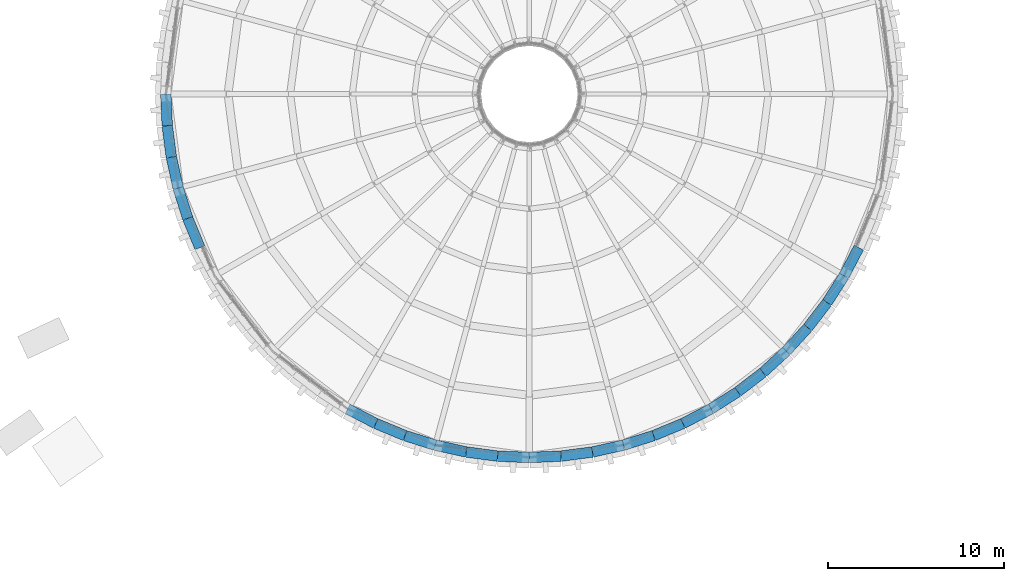
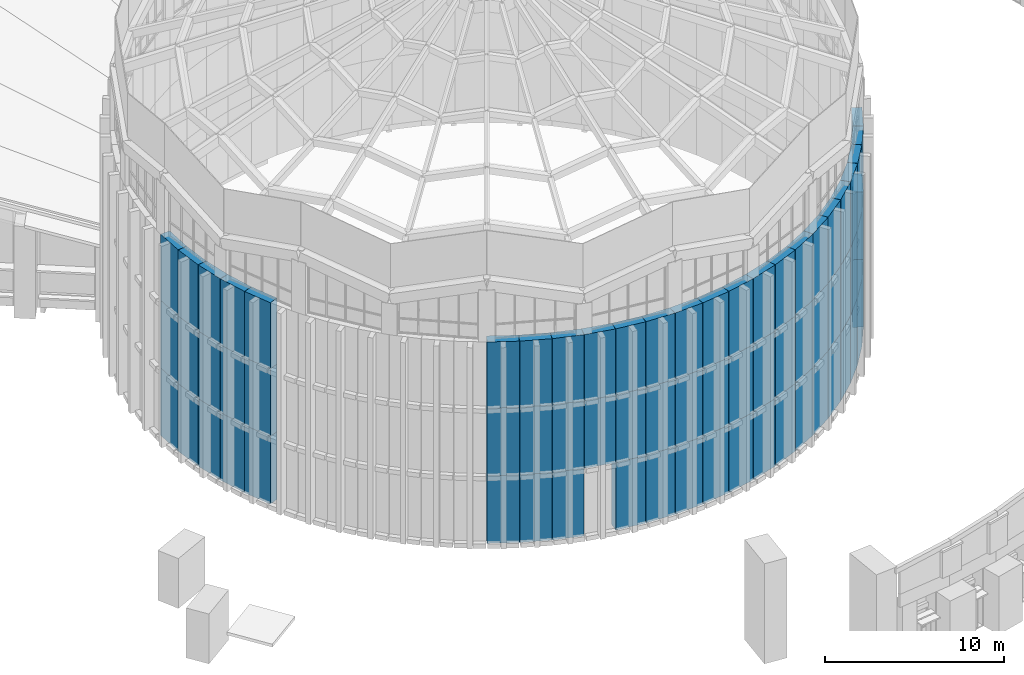
# One storey, part 52 of 82: 71 walls.
"""IFC4 building model written with IfcOpenShell, lengths in metres."""

import ifcopenshell
import ifcopenshell.guid

model = None  # the IFC model being written
_history = None  # IfcOwnerHistory: only IFC2X3 demands one
_inside = {}  # id of a spatial element -> (the spatial element, [elements in it])
_under = {}  # id of a project, library or spatial element -> (it, [spatial elements below it])
_declared = {}  # id of a project -> (the project, [libraries it declares])
_typed = {}  # id of a type object -> (the type object, [elements of that type])
_made_of = {}  # id of a material, layer set ... -> (it, [elements and type objects made of it])


def new_model(schema):
    """Start an empty IFC model of exactly this schema.

    Asked for "IFC4X3", IfcOpenShell would pick the latest addendum, in which some entities
    have other attributes; the version numbers below select the first issue.
    IFC2X3 requires an IfcOwnerHistory on every rooted entity: one is made here for all.
    """
    global model, _history
    if schema == "IFC4X3":
        model = ifcopenshell.file(schema_version=(4, 3, 0, 0))
    else:
        model = ifcopenshell.file(schema=schema)
    _inside.clear()
    _under.clear()
    _declared.clear()
    _typed.clear()
    _made_of.clear()
    _history = None
    if model.schema == "IFC2X3":
        org = make("IfcOrganization", Name="unknown")
        user = make(
            "IfcPersonAndOrganization",
            ThePerson=make("IfcPerson", FamilyName="unknown"),
            TheOrganization=org,
        )
        app = make(
            "IfcApplication",
            ApplicationDeveloper=org,
            Version="unknown",
            ApplicationFullName="unknown",
            ApplicationIdentifier="unknown",
        )
        _history = make(
            "IfcOwnerHistory",
            OwningUser=user,
            OwningApplication=app,
            ChangeAction="ADDED",
            CreationDate=0,
        )
    return model


def make(cls, **values):
    """One entity of the class cls with the attributes given. An attribute that is None is left unset."""
    return model.create_entity(
        cls, **{name: value for name, value in values.items() if value is not None}
    )


def rooted(cls, **values):
    """An entity with a GlobalId (a new one), such as an element, a storey or a relation."""
    return make(cls, GlobalId=ifcopenshell.guid.new(), OwnerHistory=_history, **values)


def si_unit(unit_type, name, prefix=None):
    """IfcSIUnit, for example si_unit("LENGTHUNIT", "METRE", prefix="MILLI")."""
    return make("IfcSIUnit", UnitType=unit_type, Prefix=prefix, Name=name)


def assignment(units):
    """IfcUnitAssignment: the units of a project."""
    return None if units is None else make("IfcUnitAssignment", Units=units)


def point(xyz):
    """IfcCartesianPoint."""
    return None if xyz is None else make("IfcCartesianPoint", Coordinates=xyz)


def direction(xyz):
    """IfcDirection."""
    return None if xyz is None else make("IfcDirection", DirectionRatios=xyz)


def frame(location, z_axis=None, x_axis=None):
    """IfcAxis2Placement3D, a coordinate frame: its origin and axes. An axis left out is left unset."""
    return make(
        "IfcAxis2Placement3D",
        Location=point(location),
        Axis=direction(z_axis),
        RefDirection=direction(x_axis),
    )


def frame_2d(location, x_axis=None):
    """IfcAxis2Placement2D, a coordinate frame in the plane: its origin and x axis."""
    return make(
        "IfcAxis2Placement2D", Location=point(location), RefDirection=direction(x_axis)
    )


def origin():
    """The frame at (0, 0, 0) with its axes left unset."""
    return frame((0.0, 0.0, 0.0))


def place(relative_to, where):
    """IfcLocalPlacement: puts the frame where relative to a parent placement (None: the world)."""
    return make(
        "IfcLocalPlacement", PlacementRelTo=relative_to, RelativePlacement=where
    )


def context(
    kind, dimensions, precision=None, world=None, true_north=None, identifier=None
):
    """IfcGeometricRepresentationContext, for example the 3D "Model" context."""
    return make(
        "IfcGeometricRepresentationContext",
        ContextIdentifier=identifier,
        ContextType=kind,
        CoordinateSpaceDimension=dimensions,
        Precision=precision,
        WorldCoordinateSystem=world,
        TrueNorth=true_north,
    )


def subcontext(parent, identifier, kind, view, scale=None):
    """IfcGeometricRepresentationSubContext, for example "Body" below "Model"."""
    return make(
        "IfcGeometricRepresentationSubContext",
        ContextIdentifier=identifier,
        ContextType=kind,
        ParentContext=parent,
        TargetScale=scale,
        TargetView=view,
    )


def project(units=None, contexts=None):
    """IfcProject with its units and contexts."""
    return rooted(
        "IfcProject",
        Name="project",
        RepresentationContexts=contexts,
        UnitsInContext=assignment(units),
    )


def spatial(cls, under=None, at=None, **own):
    """A site, building, storey or space (cls), placed at a placement, below another one or the project."""
    s = rooted(cls, ObjectPlacement=at, **own)
    if under is not None:
        _under.setdefault(under.id(), (under, []))[1].append(s)
    return s


def profile(cls, at=None, kind="AREA", **sizes):
    """A parametric profile (cls). Its sizes go by their IFC names, for example OverallWidth=200.0."""
    return make(cls, ProfileType=kind, Position=at, **sizes)


def rectangle(**sizes):
    """IfcRectangleProfileDef."""
    return profile("IfcRectangleProfileDef", **sizes)


def extrude(swept, where, along, depth):
    """IfcExtrudedAreaSolid: the profile swept, set in the frame where, extruded along a direction by depth."""
    return make(
        "IfcExtrudedAreaSolid",
        SweptArea=swept,
        Position=where,
        ExtrudedDirection=direction(along),
        Depth=depth,
    )


def shape(context_of_items, identifier, shape_type, items):
    """IfcShapeRepresentation: the items that make up one representation, for example the "Body"."""
    return make(
        "IfcShapeRepresentation",
        ContextOfItems=context_of_items,
        RepresentationIdentifier=identifier,
        RepresentationType=shape_type,
        Items=items,
    )


def material(Name=None, Category=None):
    """IfcMaterial."""
    return make("IfcMaterial", Name=Name, Category=Category)


def layer(
    of_material, thickness, ventilated=None, Name=None, Category=None, Priority=None
):
    """IfcMaterialLayer: one layer of a wall or slab, of a material (None: an air gap)."""
    return make(
        "IfcMaterialLayer",
        Material=of_material,
        LayerThickness=thickness,
        IsVentilated=ventilated,
        Name=Name,
        Category=Category,
        Priority=Priority,
    )


def layer_set(layers, Name=None):
    """IfcMaterialLayerSet."""
    return make("IfcMaterialLayerSet", MaterialLayers=layers, LayerSetName=Name)


def made_of(thing, what):
    """Note that an element or type object is made of a material, layer set ...; save() writes the relation."""
    if what is not None:
        _made_of.setdefault(what.id(), (what, []))[1].append(thing)
    return thing


def type_object(cls, material=None, **own):
    """A type object (cls), such as IfcWallType, which elements share."""
    return made_of(rooted(cls, **own), material)


def element(
    cls,
    number,
    at=None,
    inside=None,
    cuts=None,
    type_object=None,
    material=None,
    context=None,
    identifier="Body",
    shape_type=None,
    held_by="IfcProductDefinitionShape",
    body=None,
    shapes=None,
    **own,
):
    """One element of the class cls, such as IfcWall. Its Tag is "e" and its number.

    at: its placement. inside: the storey or other place that contains it. cuts: it is an
    opening in that element (IfcRelVoidsElement). A single representation is given by context,
    identifier, shape_type and body (its items); several are given by shapes. held_by: the class
    of the entity that holds the representations. save() writes the other relations.
    """
    e = rooted(cls, Tag="e%d" % number, ObjectPlacement=at, **own)
    if body is not None:
        shapes = [shape(context, identifier, shape_type, body)]
    if shapes is not None:
        e.Representation = make(held_by, Representations=shapes)
    if inside is not None:
        _inside.setdefault(inside.id(), (inside, []))[1].append(e)
    if cuts is not None:
        rooted(
            "IfcRelVoidsElement", RelatingBuildingElement=cuts, RelatedOpeningElement=e
        )
    if type_object is not None:
        _typed.setdefault(type_object.id(), (type_object, []))[1].append(e)
    return made_of(e, material)


def aggregate(whole, parts):
    """IfcRelAggregates: a whole, such as a stair, and the parts it consists of."""
    return rooted("IfcRelAggregates", RelatingObject=whole, RelatedObjects=parts)


def save(model, path):
    """Write the relations noted so far, then the file.

    IfcRelAggregates (storeys below a building ...), IfcRelContainedInSpatialStructure (elements
    in a storey), IfcRelDefinesByType, IfcRelAssociatesMaterial and IfcRelDeclares: one each for
    every whole, place, type object, material and project.
    """
    for whole, parts in _under.values():
        aggregate(whole, parts)
    for where, things in _inside.values():
        rooted(
            "IfcRelContainedInSpatialStructure",
            RelatedElements=things,
            RelatingStructure=where,
        )
    for kind, things in _typed.values():
        rooted("IfcRelDefinesByType", RelatedObjects=things, RelatingType=kind)
    for what, things in _made_of.values():
        rooted("IfcRelAssociatesMaterial", RelatedObjects=things, RelatingMaterial=what)
    for by, libraries in _declared.values():
        rooted("IfcRelDeclares", RelatingContext=by, RelatedDefinitions=libraries)
    model.write(path)


model = new_model("IFC4")

# Units and contexts
model_context = context("Model", 3, precision=1e-05, world=origin(), true_north=direction((0.0, 1.0)))
body_context = subcontext(model_context, "Body", "Model", "MODEL_VIEW")
ifc_project = project(units=[si_unit("LENGTHUNIT", "METRE"), si_unit("AREAUNIT", "SQUARE_METRE"), si_unit("VOLUMEUNIT", "CUBIC_METRE"), si_unit("PLANEANGLEUNIT", "RADIAN"), si_unit("MASSUNIT", "GRAM", prefix="KILO")], contexts=[model_context])

# Site, building, storey
site_placement = place(None, origin())
site = spatial("IfcSite", under=ifc_project, at=site_placement, CompositionType="ELEMENT")
building_placement = place(site_placement, origin())
building = spatial("IfcBuilding", under=site, at=building_placement, Name="Volute Hill Aquarium", CompositionType="ELEMENT")
storey_placement = place(building_placement, frame((0.0, 0.0, 13.800048828125)))
storey = spatial("IfcBuildingStorey", under=building, at=storey_placement, Name="L04", CompositionType="ELEMENT", Elevation=13.800048828125)

# Walls
ifc_material = material(Name="Concrete C35/45", Category="concrete")
ifc_layer = layer(ifc_material, 0.60009765625)
ifc_layer_set = layer_set([ifc_layer], Name="Drum wall C35/45 600")
wall_type = type_object("IfcWallType", Name="Drum wall C35/45 600", PredefinedType="SHEAR", material=ifc_layer_set)
wall_1_placement = place(storey_placement, frame((-20.699951171875, 0.0, 0.0), z_axis=(0.0, 0.0, 1.0), x_axis=(0.043666024022, -0.999046184291, 0.0)))
element("IfcWall", 1, at=wall_1_placement, inside=storey, type_object=wall_type, Name="sw/DR/L04/36", PredefinedType="SHEAR", context=body_context, shape_type="SweptSolid", body=[
    extrude(rectangle(XDim=1.805908203125, YDim=0.60009765625, at=frame_2d((0.90283203125, 0.0))), origin(), (0.0, 0.0, 1.0), 4.599853515625),
])
wall_2_placement = place(storey_placement, frame((-20.699951171875, 0.0, 4.599853515625), z_axis=(0.0, 0.0, 1.0), x_axis=(0.043666024022, -0.999046184291, 0.0)))
element("IfcWall", 2, at=wall_2_placement, inside=storey, type_object=wall_type, Name="sw/DR/L04/108", PredefinedType="SHEAR", context=body_context, shape_type="SweptSolid", body=[
    extrude(rectangle(XDim=1.805908203125, YDim=0.60009765625, at=frame_2d((0.90283203125, 0.0))), origin(), (0.0, 0.0, 1.0), 4.60009765625),
])
wall_3_placement = place(storey_placement, frame((-20.699951171875, 0.0, 9.199951171875), z_axis=(0.0, 0.0, 1.0), x_axis=(0.043666024022, -0.999046184291, 0.0)))
element("IfcWall", 3, at=wall_3_placement, inside=storey, type_object=wall_type, Name="sw/DR/L04/180", PredefinedType="SHEAR", context=body_context, shape_type="SweptSolid", body=[
    extrude(rectangle(XDim=1.805908203125, YDim=0.60009765625, at=frame_2d((0.90283203125, 0.0))), origin(), (0.0, 0.0, 1.0), 4.5),
])
wall_4_placement = place(storey_placement, frame((-20.62109375, -1.80419921875, 0.0), z_axis=(0.0, 0.0, 1.0), x_axis=(0.130471999813, -0.991451994433, 0.0)))
element("IfcWall", 4, at=wall_4_placement, inside=storey, type_object=wall_type, Name="sw/DR/L04/37", PredefinedType="SHEAR", context=body_context, shape_type="SweptSolid", body=[
    extrude(rectangle(XDim=1.8056640625, YDim=0.60009765625, at=frame_2d((0.90283203125, 0.0))), origin(), (0.0, 0.0, 1.0), 4.599853515625),
])
wall_5_placement = place(storey_placement, frame((-20.62109375, -1.80419921875, 4.599853515625), z_axis=(0.0, 0.0, 1.0), x_axis=(0.130471999813, -0.991451994433, 0.0)))
element("IfcWall", 5, at=wall_5_placement, inside=storey, type_object=wall_type, Name="sw/DR/L04/109", PredefinedType="SHEAR", context=body_context, shape_type="SweptSolid", body=[
    extrude(rectangle(XDim=1.8056640625, YDim=0.60009765625, at=frame_2d((0.90283203125, 0.0))), origin(), (0.0, 0.0, 1.0), 4.60009765625),
])
wall_6_placement = place(storey_placement, frame((-20.62109375, -1.80419921875, 9.199951171875), z_axis=(0.0, 0.0, 1.0), x_axis=(0.130471999813, -0.991451994433, 0.0)))
element("IfcWall", 6, at=wall_6_placement, inside=storey, type_object=wall_type, Name="sw/DR/L04/181", PredefinedType="SHEAR", context=body_context, shape_type="SweptSolid", body=[
    extrude(rectangle(XDim=1.8056640625, YDim=0.60009765625, at=frame_2d((0.90283203125, 0.0))), origin(), (0.0, 0.0, 1.0), 4.5),
])
wall_7_placement = place(storey_placement, frame((-20.385498046875, -3.594482421875, 0.0), z_axis=(0.0, 0.0, 1.0), x_axis=(0.216429453554, -0.976298259567, 0.0)))
element("IfcWall", 7, at=wall_7_placement, inside=storey, type_object=wall_type, Name="sw/DR/L04/38", PredefinedType="SHEAR", context=body_context, shape_type="SweptSolid", body=[
    extrude(rectangle(XDim=1.805908203125, YDim=0.60009765625, at=frame_2d((0.90283203125, 0.0))), origin(), (0.0, 0.0, 1.0), 4.599853515625),
])
wall_8_placement = place(storey_placement, frame((-20.385498046875, -3.594482421875, 4.599853515625), z_axis=(0.0, 0.0, 1.0), x_axis=(0.216429453554, -0.976298259567, 0.0)))
element("IfcWall", 8, at=wall_8_placement, inside=storey, type_object=wall_type, Name="sw/DR/L04/110", PredefinedType="SHEAR", context=body_context, shape_type="SweptSolid", body=[
    extrude(rectangle(XDim=1.805908203125, YDim=0.60009765625, at=frame_2d((0.90283203125, 0.0))), origin(), (0.0, 0.0, 1.0), 4.60009765625),
])
wall_9_placement = place(storey_placement, frame((-20.385498046875, -3.594482421875, 9.199951171875), z_axis=(0.0, 0.0, 1.0), x_axis=(0.216429453554, -0.976298259567, 0.0)))
element("IfcWall", 9, at=wall_9_placement, inside=storey, type_object=wall_type, Name="sw/DR/L04/182", PredefinedType="SHEAR", context=body_context, shape_type="SweptSolid", body=[
    extrude(rectangle(XDim=1.805908203125, YDim=0.60009765625, at=frame_2d((0.90283203125, 0.0))), origin(), (0.0, 0.0, 1.0), 4.5),
])
wall_10_placement = place(storey_placement, frame((-19.99462890625, -5.357666015625, 0.0), z_axis=(0.0, 0.0, 1.0), x_axis=(0.300691330354, -0.953721512733, 0.0)))
element("IfcWall", 10, at=wall_10_placement, inside=storey, type_object=wall_type, Name="sw/DR/L04/39", PredefinedType="SHEAR", context=body_context, shape_type="SweptSolid", body=[
    extrude(rectangle(XDim=1.8056640625, YDim=0.60009765625, at=frame_2d((0.90283203125, 0.0))), origin(), (0.0, 0.0, 1.0), 4.599853515625),
])
wall_11_placement = place(storey_placement, frame((-19.99462890625, -5.357666015625, 4.599853515625), z_axis=(0.0, 0.0, 1.0), x_axis=(0.300691330354, -0.953721512733, 0.0)))
element("IfcWall", 11, at=wall_11_placement, inside=storey, type_object=wall_type, Name="sw/DR/L04/111", PredefinedType="SHEAR", context=body_context, shape_type="SweptSolid", body=[
    extrude(rectangle(XDim=1.8056640625, YDim=0.60009765625, at=frame_2d((0.90283203125, 0.0))), origin(), (0.0, 0.0, 1.0), 4.60009765625),
])
wall_12_placement = place(storey_placement, frame((-19.99462890625, -5.357666015625, 9.199951171875), z_axis=(0.0, 0.0, 1.0), x_axis=(0.300691330354, -0.953721512733, 0.0)))
element("IfcWall", 12, at=wall_12_placement, inside=storey, type_object=wall_type, Name="sw/DR/L04/183", PredefinedType="SHEAR", context=body_context, shape_type="SweptSolid", body=[
    extrude(rectangle(XDim=1.8056640625, YDim=0.60009765625, at=frame_2d((0.90283203125, 0.0))), origin(), (0.0, 0.0, 1.0), 4.5),
])
wall_13_placement = place(storey_placement, frame((-19.45166015625, -7.079833984375, 0.0), z_axis=(0.0, 0.0, 1.0), x_axis=(0.382713954298, -0.923866889322, 0.0)))
element("IfcWall", 13, at=wall_13_placement, inside=storey, type_object=wall_type, Name="sw/DR/L04/40", PredefinedType="SHEAR", context=body_context, shape_type="SweptSolid", body=[
    extrude(rectangle(XDim=1.805908203125, YDim=0.60009765625, at=frame_2d((0.90283203125, 0.0))), origin(), (0.0, 0.0, 1.0), 4.599853515625),
])
wall_14_placement = place(storey_placement, frame((-19.45166015625, -7.079833984375, 4.599853515625), z_axis=(0.0, 0.0, 1.0), x_axis=(0.382713954298, -0.923866889322, 0.0)))
element("IfcWall", 14, at=wall_14_placement, inside=storey, type_object=wall_type, Name="sw/DR/L04/112", PredefinedType="SHEAR", context=body_context, shape_type="SweptSolid", body=[
    extrude(rectangle(XDim=1.805908203125, YDim=0.60009765625, at=frame_2d((0.90283203125, 0.0))), origin(), (0.0, 0.0, 1.0), 4.60009765625),
])
wall_15_placement = place(storey_placement, frame((-19.45166015625, -7.079833984375, 9.199951171875), z_axis=(0.0, 0.0, 1.0), x_axis=(0.382713954298, -0.923866889322, 0.0)))
element("IfcWall", 15, at=wall_15_placement, inside=storey, type_object=wall_type, Name="sw/DR/L04/184", PredefinedType="SHEAR", context=body_context, shape_type="SweptSolid", body=[
    extrude(rectangle(XDim=1.805908203125, YDim=0.60009765625, at=frame_2d((0.90283203125, 0.0))), origin(), (0.0, 0.0, 1.0), 4.5),
])
wall_16_placement = place(storey_placement, frame((-10.35009765625, -17.9267578125, 0.0), z_axis=(0.0, 0.0, 1.0), x_axis=(0.887035219654, -0.461701764231, 0.0)))
element("IfcWall", 16, at=wall_16_placement, inside=storey, type_object=wall_type, Name="sw/DR/L04/48", PredefinedType="SHEAR", context=body_context, shape_type="SweptSolid", body=[
    extrude(rectangle(XDim=1.805908203125, YDim=0.60009765625, at=frame_2d((0.90283203125, 0.0))), origin(), (0.0, 0.0, 1.0), 4.599853515625),
])
wall_17_placement = place(storey_placement, frame((-10.35009765625, -17.9267578125, 4.599853515625), z_axis=(0.0, 0.0, 1.0), x_axis=(0.887035219654, -0.461701764231, 0.0)))
element("IfcWall", 17, at=wall_17_placement, inside=storey, type_object=wall_type, Name="sw/DR/L04/120", PredefinedType="SHEAR", context=body_context, shape_type="SweptSolid", body=[
    extrude(rectangle(XDim=1.805908203125, YDim=0.60009765625, at=frame_2d((0.90283203125, 0.0))), origin(), (0.0, 0.0, 1.0), 4.60009765625),
])
wall_18_placement = place(storey_placement, frame((-10.35009765625, -17.9267578125, 9.199951171875), z_axis=(0.0, 0.0, 1.0), x_axis=(0.887035219654, -0.461701764231, 0.0)))
element("IfcWall", 18, at=wall_18_placement, inside=storey, type_object=wall_type, Name="sw/DR/L04/192", PredefinedType="SHEAR", context=body_context, shape_type="SweptSolid", body=[
    extrude(rectangle(XDim=1.805908203125, YDim=0.60009765625, at=frame_2d((0.90283203125, 0.0))), origin(), (0.0, 0.0, 1.0), 4.5),
])
wall_19_placement = place(storey_placement, frame((-8.748291015625, -18.760498046875, 0.0), z_axis=(0.0, 0.0, 1.0), x_axis=(0.923866889322, -0.382713954298, 0.0)))
element("IfcWall", 19, at=wall_19_placement, inside=storey, type_object=wall_type, Name="sw/DR/L04/49", PredefinedType="SHEAR", context=body_context, shape_type="SweptSolid", body=[
    extrude(rectangle(XDim=1.805908203125, YDim=0.60009765625, at=frame_2d((0.90283203125, 0.0))), origin(), (0.0, 0.0, 1.0), 4.599853515625),
])
wall_20_placement = place(storey_placement, frame((-8.748291015625, -18.760498046875, 4.599853515625), z_axis=(0.0, 0.0, 1.0), x_axis=(0.923866889322, -0.382713954298, 0.0)))
element("IfcWall", 20, at=wall_20_placement, inside=storey, type_object=wall_type, Name="sw/DR/L04/121", PredefinedType="SHEAR", context=body_context, shape_type="SweptSolid", body=[
    extrude(rectangle(XDim=1.805908203125, YDim=0.60009765625, at=frame_2d((0.90283203125, 0.0))), origin(), (0.0, 0.0, 1.0), 4.60009765625),
])
wall_21_placement = place(storey_placement, frame((-8.748291015625, -18.760498046875, 9.199951171875), z_axis=(0.0, 0.0, 1.0), x_axis=(0.923866889322, -0.382713954298, 0.0)))
element("IfcWall", 21, at=wall_21_placement, inside=storey, type_object=wall_type, Name="sw/DR/L04/193", PredefinedType="SHEAR", context=body_context, shape_type="SweptSolid", body=[
    extrude(rectangle(XDim=1.805908203125, YDim=0.60009765625, at=frame_2d((0.90283203125, 0.0))), origin(), (0.0, 0.0, 1.0), 4.5),
])
wall_22_placement = place(storey_placement, frame((-7.079833984375, -19.45166015625, 0.0), z_axis=(0.0, 0.0, 1.0), x_axis=(0.953721512733, -0.300691330354, 0.0)))
element("IfcWall", 22, at=wall_22_placement, inside=storey, type_object=wall_type, Name="sw/DR/L04/50", PredefinedType="SHEAR", context=body_context, shape_type="SweptSolid", body=[
    extrude(rectangle(XDim=1.8056640625, YDim=0.60009765625, at=frame_2d((0.90283203125, 0.0))), origin(), (0.0, 0.0, 1.0), 4.599853515625),
])
wall_23_placement = place(storey_placement, frame((-7.079833984375, -19.45166015625, 4.599853515625), z_axis=(0.0, 0.0, 1.0), x_axis=(0.953721512733, -0.300691330354, 0.0)))
element("IfcWall", 23, at=wall_23_placement, inside=storey, type_object=wall_type, Name="sw/DR/L04/122", PredefinedType="SHEAR", context=body_context, shape_type="SweptSolid", body=[
    extrude(rectangle(XDim=1.8056640625, YDim=0.60009765625, at=frame_2d((0.90283203125, 0.0))), origin(), (0.0, 0.0, 1.0), 4.60009765625),
])
wall_24_placement = place(storey_placement, frame((-7.079833984375, -19.45166015625, 9.199951171875), z_axis=(0.0, 0.0, 1.0), x_axis=(0.953721512733, -0.300691330354, 0.0)))
element("IfcWall", 24, at=wall_24_placement, inside=storey, type_object=wall_type, Name="sw/DR/L04/194", PredefinedType="SHEAR", context=body_context, shape_type="SweptSolid", body=[
    extrude(rectangle(XDim=1.8056640625, YDim=0.60009765625, at=frame_2d((0.90283203125, 0.0))), origin(), (0.0, 0.0, 1.0), 4.5),
])
wall_25_placement = place(storey_placement, frame((-5.357666015625, -19.99462890625, 4.599853515625), z_axis=(0.0, 0.0, 1.0), x_axis=(0.976298259567, -0.216429453554, 0.0)))
element("IfcWall", 25, at=wall_25_placement, inside=storey, type_object=wall_type, Name="sw/DR/L04/123", PredefinedType="SHEAR", context=body_context, shape_type="SweptSolid", body=[
    extrude(rectangle(XDim=1.805908203125, YDim=0.60009765625, at=frame_2d((0.90283203125, 0.0))), origin(), (0.0, 0.0, 1.0), 4.60009765625),
])
wall_26_placement = place(storey_placement, frame((-5.357666015625, -19.99462890625, 9.199951171875), z_axis=(0.0, 0.0, 1.0), x_axis=(0.976298259567, -0.216429453554, 0.0)))
element("IfcWall", 26, at=wall_26_placement, inside=storey, type_object=wall_type, Name="sw/DR/L04/195", PredefinedType="SHEAR", context=body_context, shape_type="SweptSolid", body=[
    extrude(rectangle(XDim=1.805908203125, YDim=0.60009765625, at=frame_2d((0.90283203125, 0.0))), origin(), (0.0, 0.0, 1.0), 4.5),
])
wall_27_placement = place(storey_placement, frame((-3.594482421875, -20.385498046875, 0.0), z_axis=(0.0, 0.0, 1.0), x_axis=(0.991451994433, -0.130471999813, 0.0)))
element("IfcWall", 27, at=wall_27_placement, inside=storey, type_object=wall_type, Name="sw/DR/L04/52", PredefinedType="SHEAR", context=body_context, shape_type="SweptSolid", body=[
    extrude(rectangle(XDim=1.8056640625, YDim=0.60009765625, at=frame_2d((0.90283203125, 0.0))), origin(), (0.0, 0.0, 1.0), 4.599853515625),
])
wall_28_placement = place(storey_placement, frame((-3.594482421875, -20.385498046875, 4.599853515625), z_axis=(0.0, 0.0, 1.0), x_axis=(0.991451994433, -0.130471999813, 0.0)))
element("IfcWall", 28, at=wall_28_placement, inside=storey, type_object=wall_type, Name="sw/DR/L04/124", PredefinedType="SHEAR", context=body_context, shape_type="SweptSolid", body=[
    extrude(rectangle(XDim=1.8056640625, YDim=0.60009765625, at=frame_2d((0.90283203125, 0.0))), origin(), (0.0, 0.0, 1.0), 4.60009765625),
])
wall_29_placement = place(storey_placement, frame((-3.594482421875, -20.385498046875, 9.199951171875), z_axis=(0.0, 0.0, 1.0), x_axis=(0.991451994433, -0.130471999813, 0.0)))
element("IfcWall", 29, at=wall_29_placement, inside=storey, type_object=wall_type, Name="sw/DR/L04/196", PredefinedType="SHEAR", context=body_context, shape_type="SweptSolid", body=[
    extrude(rectangle(XDim=1.8056640625, YDim=0.60009765625, at=frame_2d((0.90283203125, 0.0))), origin(), (0.0, 0.0, 1.0), 4.5),
])
wall_30_placement = place(storey_placement, frame((-1.80419921875, -20.62109375, 0.0), z_axis=(0.0, 0.0, 1.0), x_axis=(0.999046184291, -0.043666024022, 0.0)))
element("IfcWall", 30, at=wall_30_placement, inside=storey, type_object=wall_type, Name="sw/DR/L04/53", PredefinedType="SHEAR", context=body_context, shape_type="SweptSolid", body=[
    extrude(rectangle(XDim=1.805908203125, YDim=0.60009765625, at=frame_2d((0.90283203125, 0.0))), origin(), (0.0, 0.0, 1.0), 4.599853515625),
])
wall_31_placement = place(storey_placement, frame((-1.80419921875, -20.62109375, 4.599853515625), z_axis=(0.0, 0.0, 1.0), x_axis=(0.999046184291, -0.043666024022, 0.0)))
element("IfcWall", 31, at=wall_31_placement, inside=storey, type_object=wall_type, Name="sw/DR/L04/125", PredefinedType="SHEAR", context=body_context, shape_type="SweptSolid", body=[
    extrude(rectangle(XDim=1.805908203125, YDim=0.60009765625, at=frame_2d((0.90283203125, 0.0))), origin(), (0.0, 0.0, 1.0), 4.60009765625),
])
wall_32_placement = place(storey_placement, frame((-1.80419921875, -20.62109375, 9.199951171875), z_axis=(0.0, 0.0, 1.0), x_axis=(0.999046184291, -0.043666024022, 0.0)))
element("IfcWall", 32, at=wall_32_placement, inside=storey, type_object=wall_type, Name="sw/DR/L04/197", PredefinedType="SHEAR", context=body_context, shape_type="SweptSolid", body=[
    extrude(rectangle(XDim=1.805908203125, YDim=0.60009765625, at=frame_2d((0.90283203125, 0.0))), origin(), (0.0, 0.0, 1.0), 4.5),
])
wall_33_placement = place(storey_placement, frame((0.0, -20.699951171875, 0.0), z_axis=(0.0, 0.0, 1.0), x_axis=(0.999046184291, 0.043666024022, 0.0)))
element("IfcWall", 33, at=wall_33_placement, inside=storey, type_object=wall_type, Name="sw/DR/L04/54", PredefinedType="SHEAR", context=body_context, shape_type="SweptSolid", body=[
    extrude(rectangle(XDim=1.805908203125, YDim=0.60009765625, at=frame_2d((0.90283203125, 0.0))), origin(), (0.0, 0.0, 1.0), 4.599853515625),
])
wall_34_placement = place(storey_placement, frame((0.0, -20.699951171875, 4.599853515625), z_axis=(0.0, 0.0, 1.0), x_axis=(0.999046184291, 0.043666024022, 0.0)))
element("IfcWall", 34, at=wall_34_placement, inside=storey, type_object=wall_type, Name="sw/DR/L04/126", PredefinedType="SHEAR", context=body_context, shape_type="SweptSolid", body=[
    extrude(rectangle(XDim=1.805908203125, YDim=0.60009765625, at=frame_2d((0.90283203125, 0.0))), origin(), (0.0, 0.0, 1.0), 4.60009765625),
])
wall_35_placement = place(storey_placement, frame((0.0, -20.699951171875, 9.199951171875), z_axis=(0.0, 0.0, 1.0), x_axis=(0.999046184291, 0.043666024022, 0.0)))
element("IfcWall", 35, at=wall_35_placement, inside=storey, type_object=wall_type, Name="sw/DR/L04/198", PredefinedType="SHEAR", context=body_context, shape_type="SweptSolid", body=[
    extrude(rectangle(XDim=1.805908203125, YDim=0.60009765625, at=frame_2d((0.90283203125, 0.0))), origin(), (0.0, 0.0, 1.0), 4.5),
])
wall_36_placement = place(storey_placement, frame((1.80419921875, -20.62109375, 0.0), z_axis=(0.0, 0.0, 1.0), x_axis=(0.991451994433, 0.130471999813, 0.0)))
element("IfcWall", 36, at=wall_36_placement, inside=storey, type_object=wall_type, Name="sw/DR/L04/55", PredefinedType="SHEAR", context=body_context, shape_type="SweptSolid", body=[
    extrude(rectangle(XDim=1.8056640625, YDim=0.60009765625, at=frame_2d((0.90283203125, 0.0))), origin(), (0.0, 0.0, 1.0), 4.599853515625),
])
wall_37_placement = place(storey_placement, frame((1.80419921875, -20.62109375, 4.599853515625), z_axis=(0.0, 0.0, 1.0), x_axis=(0.991451994433, 0.130471999813, 0.0)))
element("IfcWall", 37, at=wall_37_placement, inside=storey, type_object=wall_type, Name="sw/DR/L04/127", PredefinedType="SHEAR", context=body_context, shape_type="SweptSolid", body=[
    extrude(rectangle(XDim=1.8056640625, YDim=0.60009765625, at=frame_2d((0.90283203125, 0.0))), origin(), (0.0, 0.0, 1.0), 4.60009765625),
])
wall_38_placement = place(storey_placement, frame((1.80419921875, -20.62109375, 9.199951171875), z_axis=(0.0, 0.0, 1.0), x_axis=(0.991451994433, 0.130471999813, 0.0)))
element("IfcWall", 38, at=wall_38_placement, inside=storey, type_object=wall_type, Name="sw/DR/L04/199", PredefinedType="SHEAR", context=body_context, shape_type="SweptSolid", body=[
    extrude(rectangle(XDim=1.8056640625, YDim=0.60009765625, at=frame_2d((0.90283203125, 0.0))), origin(), (0.0, 0.0, 1.0), 4.5),
])
wall_39_placement = place(storey_placement, frame((3.594482421875, -20.385498046875, 0.0), z_axis=(0.0, 0.0, 1.0), x_axis=(0.976298259567, 0.216429453554, 0.0)))
element("IfcWall", 39, at=wall_39_placement, inside=storey, type_object=wall_type, Name="sw/DR/L04/56", PredefinedType="SHEAR", context=body_context, shape_type="SweptSolid", body=[
    extrude(rectangle(XDim=1.805908203125, YDim=0.60009765625, at=frame_2d((0.90283203125, 0.0))), origin(), (0.0, 0.0, 1.0), 4.599853515625),
])
wall_40_placement = place(storey_placement, frame((3.594482421875, -20.385498046875, 4.599853515625), z_axis=(0.0, 0.0, 1.0), x_axis=(0.976298259567, 0.216429453554, 0.0)))
element("IfcWall", 40, at=wall_40_placement, inside=storey, type_object=wall_type, Name="sw/DR/L04/128", PredefinedType="SHEAR", context=body_context, shape_type="SweptSolid", body=[
    extrude(rectangle(XDim=1.805908203125, YDim=0.60009765625, at=frame_2d((0.90283203125, 0.0))), origin(), (0.0, 0.0, 1.0), 4.60009765625),
])
wall_41_placement = place(storey_placement, frame((3.594482421875, -20.385498046875, 9.199951171875), z_axis=(0.0, 0.0, 1.0), x_axis=(0.976298259567, 0.216429453554, 0.0)))
element("IfcWall", 41, at=wall_41_placement, inside=storey, type_object=wall_type, Name="sw/DR/L04/200", PredefinedType="SHEAR", context=body_context, shape_type="SweptSolid", body=[
    extrude(rectangle(XDim=1.805908203125, YDim=0.60009765625, at=frame_2d((0.90283203125, 0.0))), origin(), (0.0, 0.0, 1.0), 4.5),
])
wall_42_placement = place(storey_placement, frame((5.357666015625, -19.99462890625, 0.0), z_axis=(0.0, 0.0, 1.0), x_axis=(0.953721512733, 0.300691330354, 0.0)))
element("IfcWall", 42, at=wall_42_placement, inside=storey, type_object=wall_type, Name="sw/DR/L04/57", PredefinedType="SHEAR", context=body_context, shape_type="SweptSolid", body=[
    extrude(rectangle(XDim=1.8056640625, YDim=0.60009765625, at=frame_2d((0.90283203125, 0.0))), origin(), (0.0, 0.0, 1.0), 4.599853515625),
])
wall_43_placement = place(storey_placement, frame((5.357666015625, -19.99462890625, 4.599853515625), z_axis=(0.0, 0.0, 1.0), x_axis=(0.953721512733, 0.300691330354, 0.0)))
element("IfcWall", 43, at=wall_43_placement, inside=storey, type_object=wall_type, Name="sw/DR/L04/129", PredefinedType="SHEAR", context=body_context, shape_type="SweptSolid", body=[
    extrude(rectangle(XDim=1.8056640625, YDim=0.60009765625, at=frame_2d((0.90283203125, 0.0))), origin(), (0.0, 0.0, 1.0), 4.60009765625),
])
wall_44_placement = place(storey_placement, frame((5.357666015625, -19.99462890625, 9.199951171875), z_axis=(0.0, 0.0, 1.0), x_axis=(0.953721512733, 0.300691330354, 0.0)))
element("IfcWall", 44, at=wall_44_placement, inside=storey, type_object=wall_type, Name="sw/DR/L04/201", PredefinedType="SHEAR", context=body_context, shape_type="SweptSolid", body=[
    extrude(rectangle(XDim=1.8056640625, YDim=0.60009765625, at=frame_2d((0.90283203125, 0.0))), origin(), (0.0, 0.0, 1.0), 4.5),
])
wall_45_placement = place(storey_placement, frame((7.079833984375, -19.45166015625, 0.0), z_axis=(0.0, 0.0, 1.0), x_axis=(0.923866889322, 0.382713954298, 0.0)))
element("IfcWall", 45, at=wall_45_placement, inside=storey, type_object=wall_type, Name="sw/DR/L04/58", PredefinedType="SHEAR", context=body_context, shape_type="SweptSolid", body=[
    extrude(rectangle(XDim=1.805908203125, YDim=0.60009765625, at=frame_2d((0.90283203125, 0.0))), origin(), (0.0, 0.0, 1.0), 4.599853515625),
])
wall_46_placement = place(storey_placement, frame((7.079833984375, -19.45166015625, 4.599853515625), z_axis=(0.0, 0.0, 1.0), x_axis=(0.923866889322, 0.382713954298, 0.0)))
element("IfcWall", 46, at=wall_46_placement, inside=storey, type_object=wall_type, Name="sw/DR/L04/130", PredefinedType="SHEAR", context=body_context, shape_type="SweptSolid", body=[
    extrude(rectangle(XDim=1.805908203125, YDim=0.60009765625, at=frame_2d((0.90283203125, 0.0))), origin(), (0.0, 0.0, 1.0), 4.60009765625),
])
wall_47_placement = place(storey_placement, frame((7.079833984375, -19.45166015625, 9.199951171875), z_axis=(0.0, 0.0, 1.0), x_axis=(0.923866889322, 0.382713954298, 0.0)))
element("IfcWall", 47, at=wall_47_placement, inside=storey, type_object=wall_type, Name="sw/DR/L04/202", PredefinedType="SHEAR", context=body_context, shape_type="SweptSolid", body=[
    extrude(rectangle(XDim=1.805908203125, YDim=0.60009765625, at=frame_2d((0.90283203125, 0.0))), origin(), (0.0, 0.0, 1.0), 4.5),
])
wall_48_placement = place(storey_placement, frame((8.748291015625, -18.760498046875, 0.0), z_axis=(0.0, 0.0, 1.0), x_axis=(0.887035219654, 0.461701764231, 0.0)))
element("IfcWall", 48, at=wall_48_placement, inside=storey, type_object=wall_type, Name="sw/DR/L04/59", PredefinedType="SHEAR", context=body_context, shape_type="SweptSolid", body=[
    extrude(rectangle(XDim=1.805908203125, YDim=0.60009765625, at=frame_2d((0.90283203125, 0.0))), origin(), (0.0, 0.0, 1.0), 4.599853515625),
])
wall_49_placement = place(storey_placement, frame((8.748291015625, -18.760498046875, 4.599853515625), z_axis=(0.0, 0.0, 1.0), x_axis=(0.887035219654, 0.461701764231, 0.0)))
element("IfcWall", 49, at=wall_49_placement, inside=storey, type_object=wall_type, Name="sw/DR/L04/131", PredefinedType="SHEAR", context=body_context, shape_type="SweptSolid", body=[
    extrude(rectangle(XDim=1.805908203125, YDim=0.60009765625, at=frame_2d((0.90283203125, 0.0))), origin(), (0.0, 0.0, 1.0), 4.60009765625),
])
wall_50_placement = place(storey_placement, frame((8.748291015625, -18.760498046875, 9.199951171875), z_axis=(0.0, 0.0, 1.0), x_axis=(0.887035219654, 0.461701764231, 0.0)))
element("IfcWall", 50, at=wall_50_placement, inside=storey, type_object=wall_type, Name="sw/DR/L04/203", PredefinedType="SHEAR", context=body_context, shape_type="SweptSolid", body=[
    extrude(rectangle(XDim=1.805908203125, YDim=0.60009765625, at=frame_2d((0.90283203125, 0.0))), origin(), (0.0, 0.0, 1.0), 4.5),
])
wall_51_placement = place(storey_placement, frame((10.35009765625, -17.9267578125, 0.0), z_axis=(0.0, 0.0, 1.0), x_axis=(0.843332890803, 0.537391510251, 0.0)))
element("IfcWall", 51, at=wall_51_placement, inside=storey, type_object=wall_type, Name="sw/DR/L04/60", PredefinedType="SHEAR", context=body_context, shape_type="SweptSolid", body=[
    extrude(rectangle(XDim=1.805908203125, YDim=0.60009765625, at=frame_2d((0.90283203125, 0.0))), origin(), (0.0, 0.0, 1.0), 4.599853515625),
])
wall_52_placement = place(storey_placement, frame((10.35009765625, -17.9267578125, 4.599853515625), z_axis=(0.0, 0.0, 1.0), x_axis=(0.843332890803, 0.537391510251, 0.0)))
element("IfcWall", 52, at=wall_52_placement, inside=storey, type_object=wall_type, Name="sw/DR/L04/132", PredefinedType="SHEAR", context=body_context, shape_type="SweptSolid", body=[
    extrude(rectangle(XDim=1.805908203125, YDim=0.60009765625, at=frame_2d((0.90283203125, 0.0))), origin(), (0.0, 0.0, 1.0), 4.60009765625),
])
wall_53_placement = place(storey_placement, frame((10.35009765625, -17.9267578125, 9.199951171875), z_axis=(0.0, 0.0, 1.0), x_axis=(0.843332890803, 0.537391510251, 0.0)))
element("IfcWall", 53, at=wall_53_placement, inside=storey, type_object=wall_type, Name="sw/DR/L04/204", PredefinedType="SHEAR", context=body_context, shape_type="SweptSolid", body=[
    extrude(rectangle(XDim=1.805908203125, YDim=0.60009765625, at=frame_2d((0.90283203125, 0.0))), origin(), (0.0, 0.0, 1.0), 4.5),
])
wall_54_placement = place(storey_placement, frame((11.873046875, -16.956298828125, 0.0), z_axis=(0.0, 0.0, 1.0), x_axis=(0.793397400526, 0.608704004289, 0.0)))
element("IfcWall", 54, at=wall_54_placement, inside=storey, type_object=wall_type, Name="sw/DR/L04/61", PredefinedType="SHEAR", context=body_context, shape_type="SweptSolid", body=[
    extrude(rectangle(XDim=1.8056640625, YDim=0.60009765625, at=frame_2d((0.90283203125, 0.0))), origin(), (0.0, 0.0, 1.0), 4.599853515625),
])
wall_55_placement = place(storey_placement, frame((11.873046875, -16.956298828125, 4.599853515625), z_axis=(0.0, 0.0, 1.0), x_axis=(0.793397400526, 0.608704004289, 0.0)))
element("IfcWall", 55, at=wall_55_placement, inside=storey, type_object=wall_type, Name="sw/DR/L04/133", PredefinedType="SHEAR", context=body_context, shape_type="SweptSolid", body=[
    extrude(rectangle(XDim=1.8056640625, YDim=0.60009765625, at=frame_2d((0.90283203125, 0.0))), origin(), (0.0, 0.0, 1.0), 4.60009765625),
])
wall_56_placement = place(storey_placement, frame((11.873046875, -16.956298828125, 9.199951171875), z_axis=(0.0, 0.0, 1.0), x_axis=(0.793397400526, 0.608704004289, 0.0)))
element("IfcWall", 56, at=wall_56_placement, inside=storey, type_object=wall_type, Name="sw/DR/L04/205", PredefinedType="SHEAR", context=body_context, shape_type="SweptSolid", body=[
    extrude(rectangle(XDim=1.8056640625, YDim=0.60009765625, at=frame_2d((0.90283203125, 0.0))), origin(), (0.0, 0.0, 1.0), 4.5),
])
wall_57_placement = place(storey_placement, frame((13.3056640625, -15.857177734375, 0.0), z_axis=(0.0, 0.0, 1.0), x_axis=(0.737322466268, 0.675540954152, 0.0)))
element("IfcWall", 57, at=wall_57_placement, inside=storey, type_object=wall_type, Name="sw/DR/L04/62", PredefinedType="SHEAR", context=body_context, shape_type="SweptSolid", body=[
    extrude(rectangle(XDim=1.805908203125, YDim=0.60009765625, at=frame_2d((0.90283203125, 0.0))), origin(), (0.0, 0.0, 1.0), 4.599853515625),
])
wall_58_placement = place(storey_placement, frame((13.3056640625, -15.857177734375, 4.599853515625), z_axis=(0.0, 0.0, 1.0), x_axis=(0.737322466268, 0.675540954152, 0.0)))
element("IfcWall", 58, at=wall_58_placement, inside=storey, type_object=wall_type, Name="sw/DR/L04/134", PredefinedType="SHEAR", context=body_context, shape_type="SweptSolid", body=[
    extrude(rectangle(XDim=1.805908203125, YDim=0.60009765625, at=frame_2d((0.90283203125, 0.0))), origin(), (0.0, 0.0, 1.0), 4.60009765625),
])
wall_59_placement = place(storey_placement, frame((13.3056640625, -15.857177734375, 9.199951171875), z_axis=(0.0, 0.0, 1.0), x_axis=(0.737322466268, 0.675540954152, 0.0)))
element("IfcWall", 59, at=wall_59_placement, inside=storey, type_object=wall_type, Name="sw/DR/L04/206", PredefinedType="SHEAR", context=body_context, shape_type="SweptSolid", body=[
    extrude(rectangle(XDim=1.805908203125, YDim=0.60009765625, at=frame_2d((0.90283203125, 0.0))), origin(), (0.0, 0.0, 1.0), 4.5),
])
wall_60_placement = place(storey_placement, frame((14.63720703125, -14.63720703125, 0.0), z_axis=(0.0, 0.0, 1.0), x_axis=(0.675540954152, 0.737322466268, 0.0)))
element("IfcWall", 60, at=wall_60_placement, inside=storey, type_object=wall_type, Name="sw/DR/L04/63", PredefinedType="SHEAR", context=body_context, shape_type="SweptSolid", body=[
    extrude(rectangle(XDim=1.805908203125, YDim=0.60009765625, at=frame_2d((0.90283203125, 0.0))), origin(), (0.0, 0.0, 1.0), 4.599853515625),
])
wall_61_placement = place(storey_placement, frame((14.63720703125, -14.63720703125, 4.599853515625), z_axis=(0.0, 0.0, 1.0), x_axis=(0.675540954152, 0.737322466268, 0.0)))
element("IfcWall", 61, at=wall_61_placement, inside=storey, type_object=wall_type, Name="sw/DR/L04/135", PredefinedType="SHEAR", context=body_context, shape_type="SweptSolid", body=[
    extrude(rectangle(XDim=1.805908203125, YDim=0.60009765625, at=frame_2d((0.90283203125, 0.0))), origin(), (0.0, 0.0, 1.0), 4.60009765625),
])
wall_62_placement = place(storey_placement, frame((14.63720703125, -14.63720703125, 9.199951171875), z_axis=(0.0, 0.0, 1.0), x_axis=(0.675540954152, 0.737322466268, 0.0)))
element("IfcWall", 62, at=wall_62_placement, inside=storey, type_object=wall_type, Name="sw/DR/L04/207", PredefinedType="SHEAR", context=body_context, shape_type="SweptSolid", body=[
    extrude(rectangle(XDim=1.805908203125, YDim=0.60009765625, at=frame_2d((0.90283203125, 0.0))), origin(), (0.0, 0.0, 1.0), 4.5),
])
wall_63_placement = place(storey_placement, frame((15.857177734375, -13.3056640625, 0.0), z_axis=(0.0, 0.0, 1.0), x_axis=(0.608704004289, 0.793397400526, 0.0)))
element("IfcWall", 63, at=wall_63_placement, inside=storey, type_object=wall_type, Name="sw/DR/L04/64", PredefinedType="SHEAR", context=body_context, shape_type="SweptSolid", body=[
    extrude(rectangle(XDim=1.8056640625, YDim=0.60009765625, at=frame_2d((0.90283203125, 0.0))), origin(), (0.0, 0.0, 1.0), 4.599853515625),
])
wall_64_placement = place(storey_placement, frame((15.857177734375, -13.3056640625, 4.599853515625), z_axis=(0.0, 0.0, 1.0), x_axis=(0.608704004289, 0.793397400526, 0.0)))
element("IfcWall", 64, at=wall_64_placement, inside=storey, type_object=wall_type, Name="sw/DR/L04/136", PredefinedType="SHEAR", context=body_context, shape_type="SweptSolid", body=[
    extrude(rectangle(XDim=1.8056640625, YDim=0.60009765625, at=frame_2d((0.90283203125, 0.0))), origin(), (0.0, 0.0, 1.0), 4.60009765625),
])
wall_65_placement = place(storey_placement, frame((15.857177734375, -13.3056640625, 9.199951171875), z_axis=(0.0, 0.0, 1.0), x_axis=(0.608704004289, 0.793397400526, 0.0)))
element("IfcWall", 65, at=wall_65_placement, inside=storey, type_object=wall_type, Name="sw/DR/L04/208", PredefinedType="SHEAR", context=body_context, shape_type="SweptSolid", body=[
    extrude(rectangle(XDim=1.8056640625, YDim=0.60009765625, at=frame_2d((0.90283203125, 0.0))), origin(), (0.0, 0.0, 1.0), 4.5),
])
wall_66_placement = place(storey_placement, frame((16.956298828125, -11.873046875, 0.0), z_axis=(0.0, 0.0, 1.0), x_axis=(0.537391510251, 0.843332890803, 0.0)))
element("IfcWall", 66, at=wall_66_placement, inside=storey, type_object=wall_type, Name="sw/DR/L04/65", PredefinedType="SHEAR", context=body_context, shape_type="SweptSolid", body=[
    extrude(rectangle(XDim=1.805908203125, YDim=0.60009765625, at=frame_2d((0.90283203125, 0.0))), origin(), (0.0, 0.0, 1.0), 4.599853515625),
])
wall_67_placement = place(storey_placement, frame((16.956298828125, -11.873046875, 4.599853515625), z_axis=(0.0, 0.0, 1.0), x_axis=(0.537391510251, 0.843332890803, 0.0)))
element("IfcWall", 67, at=wall_67_placement, inside=storey, type_object=wall_type, Name="sw/DR/L04/137", PredefinedType="SHEAR", context=body_context, shape_type="SweptSolid", body=[
    extrude(rectangle(XDim=1.805908203125, YDim=0.60009765625, at=frame_2d((0.90283203125, 0.0))), origin(), (0.0, 0.0, 1.0), 4.60009765625),
])
wall_68_placement = place(storey_placement, frame((16.956298828125, -11.873046875, 9.199951171875), z_axis=(0.0, 0.0, 1.0), x_axis=(0.537391510251, 0.843332890803, 0.0)))
element("IfcWall", 68, at=wall_68_placement, inside=storey, type_object=wall_type, Name="sw/DR/L04/209", PredefinedType="SHEAR", context=body_context, shape_type="SweptSolid", body=[
    extrude(rectangle(XDim=1.805908203125, YDim=0.60009765625, at=frame_2d((0.90283203125, 0.0))), origin(), (0.0, 0.0, 1.0), 4.5),
])
wall_69_placement = place(storey_placement, frame((17.9267578125, -10.35009765625, 0.0), z_axis=(0.0, 0.0, 1.0), x_axis=(0.461701764231, 0.887035219654, 0.0)))
element("IfcWall", 69, at=wall_69_placement, inside=storey, type_object=wall_type, Name="sw/DR/L04/66", PredefinedType="SHEAR", context=body_context, shape_type="SweptSolid", body=[
    extrude(rectangle(XDim=1.805908203125, YDim=0.60009765625, at=frame_2d((0.90283203125, 0.0))), origin(), (0.0, 0.0, 1.0), 4.599853515625),
])
wall_70_placement = place(storey_placement, frame((17.9267578125, -10.35009765625, 4.599853515625), z_axis=(0.0, 0.0, 1.0), x_axis=(0.461701764231, 0.887035219654, 0.0)))
element("IfcWall", 70, at=wall_70_placement, inside=storey, type_object=wall_type, Name="sw/DR/L04/138", PredefinedType="SHEAR", context=body_context, shape_type="SweptSolid", body=[
    extrude(rectangle(XDim=1.805908203125, YDim=0.60009765625, at=frame_2d((0.90283203125, 0.0))), origin(), (0.0, 0.0, 1.0), 4.60009765625),
])
wall_71_placement = place(storey_placement, frame((17.9267578125, -10.35009765625, 9.199951171875), z_axis=(0.0, 0.0, 1.0), x_axis=(0.461701764231, 0.887035219654, 0.0)))
element("IfcWall", 71, at=wall_71_placement, inside=storey, type_object=wall_type, Name="sw/DR/L04/210", PredefinedType="SHEAR", context=body_context, shape_type="SweptSolid", body=[
    extrude(rectangle(XDim=1.805908203125, YDim=0.60009765625, at=frame_2d((0.90283203125, 0.0))), origin(), (0.0, 0.0, 1.0), 4.5),
])

save(model, "model.ifc")
